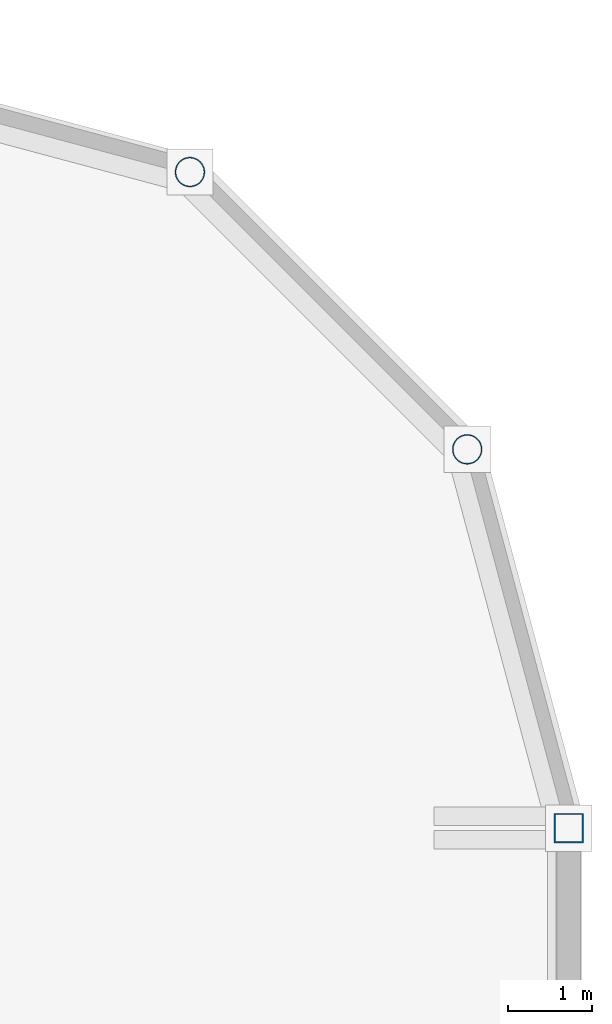
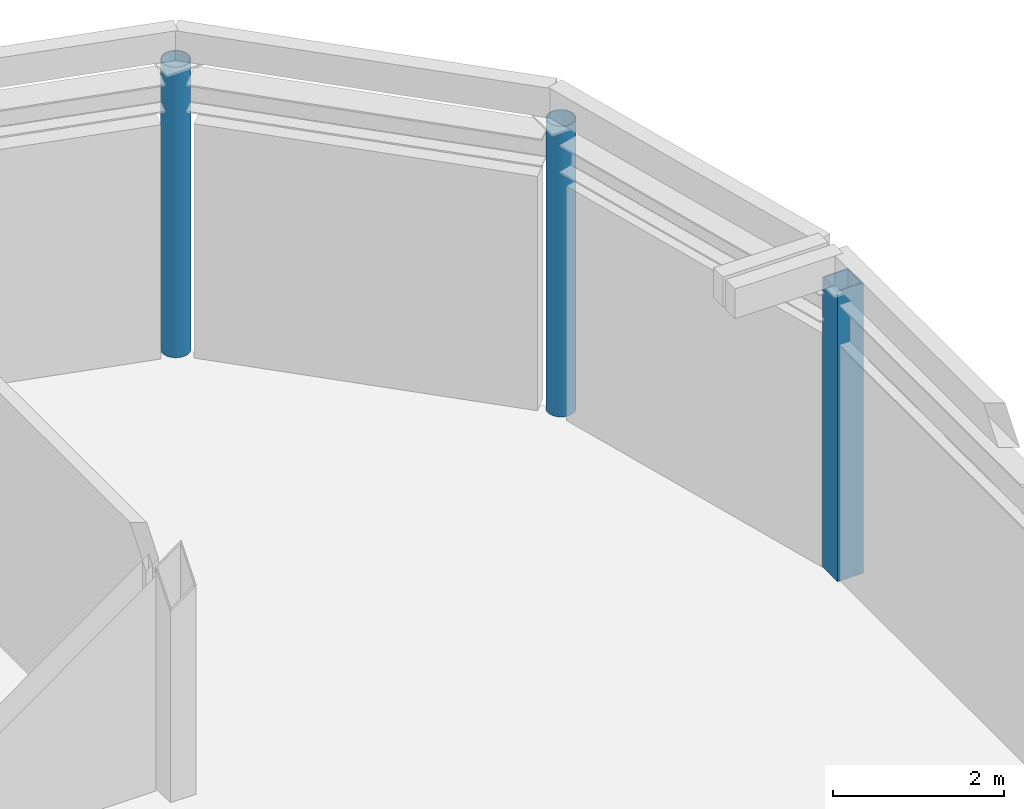
# One storey, part 5 of 14: 3 columns.
"""IFC4 building model written with IfcOpenShell, lengths in metres."""

from ifc_helpers import new_model, si_unit, direction, frame, origin, origin_2d, place, context, subcontext, project, spatial, hollow_rectangle, hollow_circle, extrude, material, material_profile, profile_set, type_object, element, save


model = new_model("IFC4")

# Units and contexts
model_context = context("Model", 3, precision=1e-05, world=origin(), true_north=direction((0.0, 1.0)))
body_context = subcontext(model_context, "Body", "Model", "MODEL_VIEW")
ifc_project = project(units=[si_unit("LENGTHUNIT", "METRE"), si_unit("AREAUNIT", "SQUARE_METRE"), si_unit("VOLUMEUNIT", "CUBIC_METRE"), si_unit("PLANEANGLEUNIT", "RADIAN"), si_unit("MASSUNIT", "GRAM", prefix="KILO")], contexts=[model_context])

# Site, building, storey
site_placement = place(None, origin())
site = spatial("IfcSite", under=ifc_project, at=site_placement, CompositionType="ELEMENT")
building_placement = place(site_placement, origin())
building = spatial("IfcBuilding", under=site, at=building_placement, Name="Suzunagisa Mobility Hub", CompositionType="ELEMENT")
storey_placement = place(building_placement, frame((0.0, 0.0, 26.10009765625)))
storey = spatial("IfcBuildingStorey", under=building, at=storey_placement, Name="L06", CompositionType="ELEMENT", Elevation=26.10009765625)

# Columns
ifc_material = material(Name="Steel SN490B", Category="steel")
ifc_material_profile_1 = material_profile(ifc_material, hollow_rectangle(XDim=0.35009765625, YDim=0.35009765625, WallThickness=0.01611328125, at=origin_2d()), Name="BCR-350x350x16")
ifc_profile_set_1 = profile_set([ifc_material_profile_1], Name="Steel SN490B")
column_type_1 = type_object("IfcColumnType", Name="Steel Column CL-04 BCR-350x350x16", PredefinedType="COLUMN", material=ifc_profile_set_1)
column_placement = place(storey_placement, frame((180.0, 89.0, 0.0), z_axis=(0.0, 0.0, 1.0), x_axis=(1.0, 0.0, 0.0)))
element("IfcColumn", 1, at=column_placement, inside=storey, type_object=column_type_1, Name="L06 Column 330", PredefinedType="COLUMN", context=body_context, shape_type="SweptSolid", body=[
    extrude(hollow_rectangle(XDim=0.35009765625, YDim=0.35009765625, WallThickness=0.01611328125, at=origin_2d()), origin(), (0.0, 0.0, 1.0), 4.139892578125),
])
ifc_material_profile_2 = material_profile(ifc_material, hollow_circle(Radius=0.177734375, WallThickness=0.0126953125, at=origin_2d()), Name="CHS-355.6x12.7")
ifc_profile_set_2 = profile_set([ifc_material_profile_2], Name="Steel SN490B")
column_type_2 = type_object("IfcColumnType", Name="Steel Column CL-18 CHS-355.6x12.7", PredefinedType="COLUMN", material=ifc_profile_set_2)
for number, where, z_axis, x_axis, name in (
    (2, (175.5, 96.794189453125, 0.0), (0.0, 0.0, 1.0), (1.0, 0.0, 0.0), "L06 Column 313"),
    (3, (178.794189453125, 93.5, 0.0), (0.0, 0.0, 1.0), (1.0, 0.0, 0.0), "L06 Column 319"),
):
    element("IfcColumn", number, at=place(storey_placement, frame(where, z_axis=z_axis, x_axis=x_axis)), inside=storey, type_object=column_type_2, Name=name, PredefinedType="COLUMN", context=body_context, shape_type="SweptSolid", body=[
        extrude(hollow_circle(Radius=0.177734375, WallThickness=0.0126953125, at=origin_2d()), origin(), (0.0, 0.0, 1.0), 4.139892578125),
    ])

save(model, "model.ifc")
